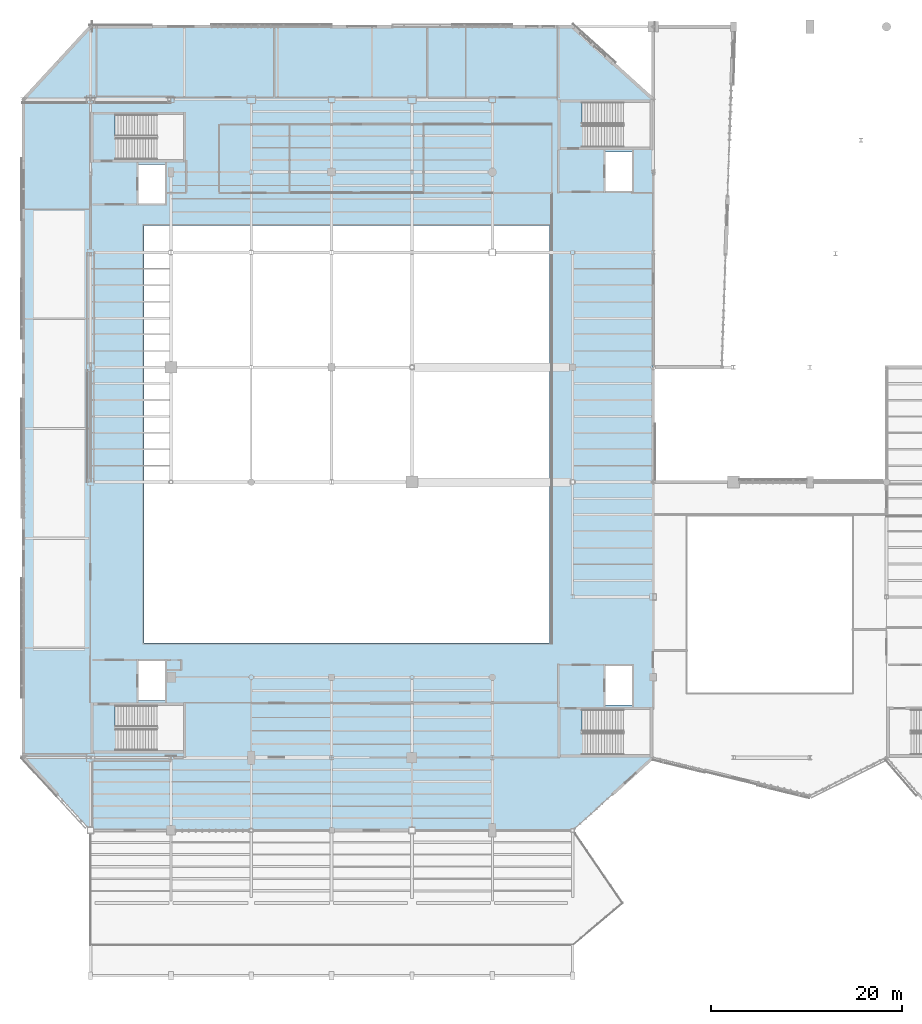
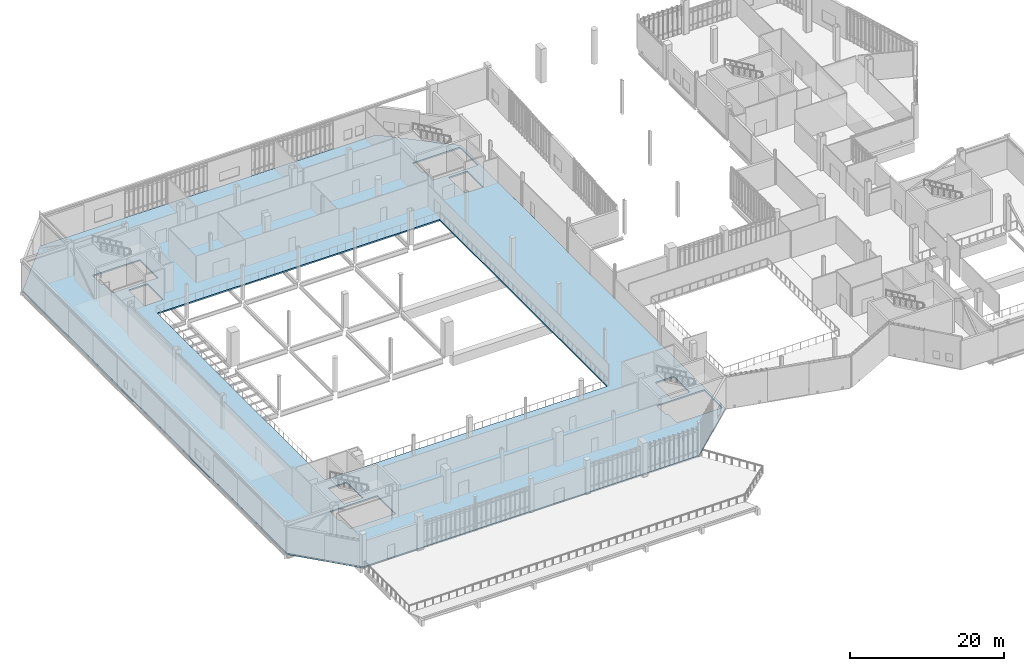
# One storey, part 72 of 127: 1 slab.
"""IFC4 building model written with IfcOpenShell, lengths in metres."""

from ifc_helpers import new_model, si_unit, direction, frame, origin, place, context, subcontext, project, spatial, polyline, outline, extrude, material, layer, layer_set, type_object, element, save


model = new_model("IFC4")

# Units and contexts
model_context = context("Model", 3, precision=1e-05, world=origin(), true_north=direction((0.0, 1.0)))
body_context = subcontext(model_context, "Body", "Model", "MODEL_VIEW")
ifc_project = project(units=[si_unit("LENGTHUNIT", "METRE"), si_unit("AREAUNIT", "SQUARE_METRE"), si_unit("VOLUMEUNIT", "CUBIC_METRE"), si_unit("PLANEANGLEUNIT", "RADIAN"), si_unit("MASSUNIT", "GRAM", prefix="KILO")], contexts=[model_context])

# Site, building, storey
site_placement = place(None, origin())
site = spatial("IfcSite", under=ifc_project, at=site_placement, CompositionType="ELEMENT")
building_placement = place(site_placement, origin())
building = spatial("IfcBuilding", under=site, at=building_placement, Name="Larkvane Passage Sports Hall", CompositionType="ELEMENT")
storey_placement = place(building_placement, frame((0.0, 0.0, 5.39990234375)))
storey = spatial("IfcBuildingStorey", under=building, at=storey_placement, Name="L01", CompositionType="ELEMENT", Elevation=5.39990234375)

# Slab
ifc_material = material(Name="Concrete C40/50", Category="concrete")
ifc_layer = layer(ifc_material, 0.22998046875)
ifc_layer_set = layer_set([ifc_layer], Name="Concrete C40/50")
slab_type = type_object("IfcSlabType", Name="SLB-FLR-230", PredefinedType="FLOOR", material=ifc_layer_set)
slab_placement = place(storey_placement, frame((0.0, 0.0, -0.22998046875)))
element("IfcSlab", 1, at=slab_placement, inside=storey, type_object=slab_type, Name="Structural floor slab SLAB-L01-V1", PredefinedType="FLOOR", context=body_context, shape_type="SweptSolid", body=[
    extrude(outline(polyline([(27.800048828125, 22.800048828125), (34.800048828125, 15.199951171875), (85.199951171875, 15.199951171875), (93.60009765625, 22.800048828125), (93.60009765625, 91.60009765625), (85.199951171875, 99.199951171875), (34.800048828125, 99.199951171875), (27.800048828125, 91.60009765625), (27.800048828125, 22.800048828125)]), holes=[polyline([(37.679931640625, 23.550048828125), (37.679931640625, 25.800048828125), (37.380615234375, 25.800048828125), (37.380615234375, 28.25), (44.5, 28.25), (44.5, 23.550048828125), (37.679931640625, 23.550048828125)]), polyline([(37.679931640625, 85.300048828125), (37.679931640625, 87.550048828125), (37.380615234375, 87.550048828125), (37.380615234375, 90.0), (44.5, 90.0), (44.5, 85.300048828125), (37.679931640625, 85.300048828125)]), polyline([(86.47998046875, 86.60009765625), (86.47998046875, 88.85009765625), (86.180419921875, 88.85009765625), (86.180419921875, 91.300048828125), (93.300048828125, 91.300048828125), (93.300048828125, 86.60009765625), (86.47998046875, 86.60009765625)]), polyline([(86.47998046875, 23.10009765625), (86.47998046875, 25.35009765625), (86.180419921875, 25.35009765625), (86.180419921875, 27.800048828125), (93.300048828125, 27.800048828125), (93.300048828125, 23.10009765625), (86.47998046875, 23.10009765625)]), polyline([(39.800048828125, 32.89990234375), (42.60009765625, 32.89990234375), (42.60009765625, 28.75), (39.800048828125, 28.75), (39.800048828125, 32.89990234375)]), polyline([(39.800048828125, 84.800048828125), (42.60009765625, 84.800048828125), (42.60009765625, 80.699951171875), (39.800048828125, 80.699951171875), (39.800048828125, 84.800048828125)]), polyline([(88.60009765625, 86.10009765625), (91.39990234375, 86.10009765625), (91.39990234375, 82.0), (88.60009765625, 82.0), (88.60009765625, 86.10009765625)]), polyline([(88.60009765625, 32.39990234375), (91.39990234375, 32.39990234375), (91.39990234375, 28.300048828125), (88.60009765625, 28.300048828125), (88.60009765625, 32.39990234375)]), polyline([(40.39990234375, 78.39990234375), (82.800048828125, 78.39990234375), (82.800048828125, 34.800048828125), (40.39990234375, 34.800048828125), (40.39990234375, 78.39990234375)])]), origin(), (0.0, 0.0, 1.0), 0.22998046875),
])

save(model, "model.ifc")
